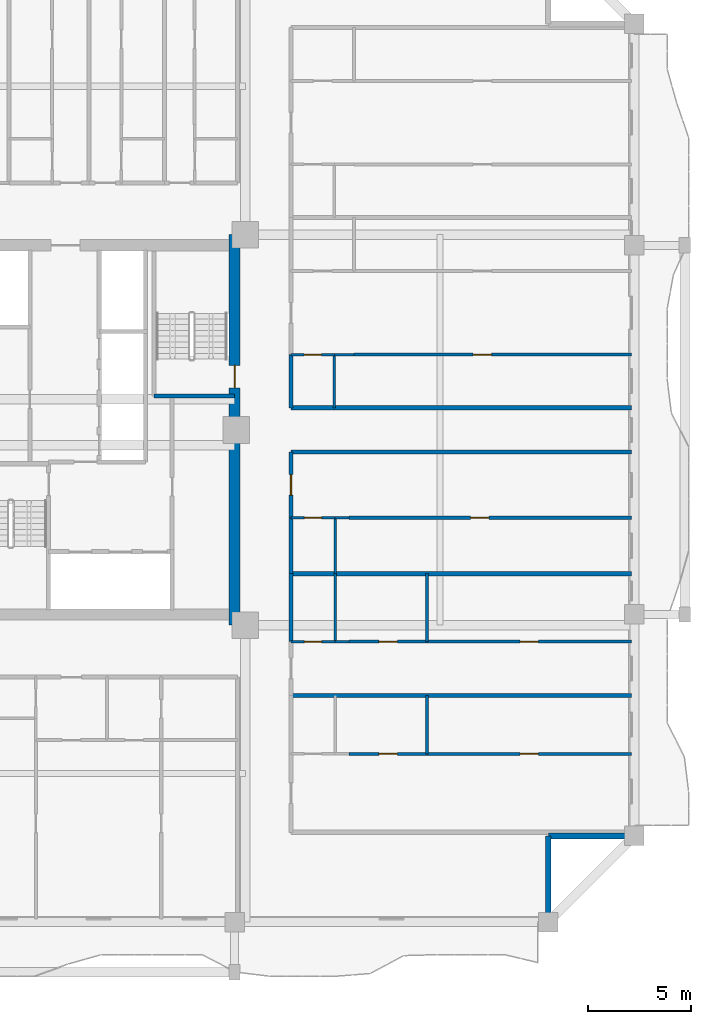
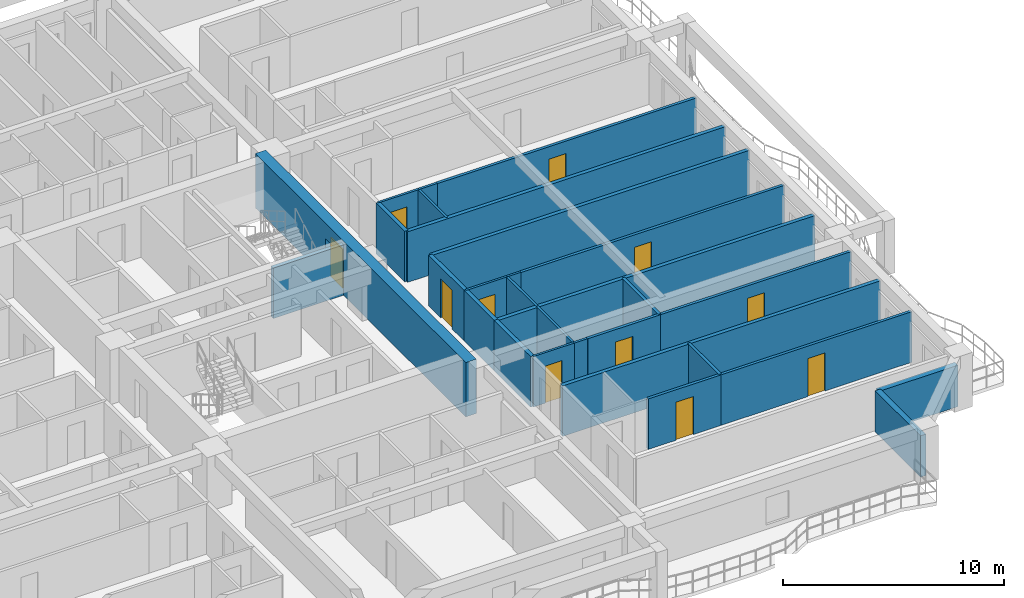
# One storey, part 5 of 14: 29 walls, 11 doors, 11 openings.
"""IFC4 building model written with IfcOpenShell, lengths in metres."""

from ifc_helpers import new_model, si_unit, direction, frame, frame_2d, origin, place, context, subcontext, project, spatial, rectangle, extrude, source, transform, mapped, material, layer, layer_set, type_object, element, fill, save


model = new_model("IFC4")

# Units and contexts
model_context = context("Model", 3, precision=1e-05, world=origin(), true_north=direction((0.0, 1.0)))
body_context = subcontext(model_context, "Body", "Model", "MODEL_VIEW")
ifc_project = project(units=[si_unit("LENGTHUNIT", "METRE"), si_unit("AREAUNIT", "SQUARE_METRE"), si_unit("VOLUMEUNIT", "CUBIC_METRE"), si_unit("PLANEANGLEUNIT", "RADIAN"), si_unit("MASSUNIT", "GRAM", prefix="KILO")], contexts=[model_context])

# Site, building, storey
site_placement = place(None, origin())
site = spatial("IfcSite", under=ifc_project, at=site_placement, CompositionType="ELEMENT")
building_placement = place(site_placement, origin())
building = spatial("IfcBuilding", under=site, at=building_placement, Name="Saelheon Loggia Tower", CompositionType="ELEMENT")
storey_placement = place(building_placement, frame((0.0, 0.0, 119.85009765625)))
storey = spatial("IfcBuildingStorey", under=building, at=storey_placement, Name="L38", CompositionType="ELEMENT", Elevation=119.85009765625)

# Wall, opening, door
ifc_material_1 = material(Name="Concrete C50/60", Category="concrete")
ifc_layer_1 = layer(ifc_material_1, 0.550048828125)
ifc_layer_set_1 = layer_set([ifc_layer_1], Name="Concrete C50/60")
wall_type_1 = type_object("IfcWallType", Name="Wall_CoreShear_550", PredefinedType="SHEAR", material=ifc_layer_set_1)
wall_1_placement = place(storey_placement, frame((44.5, 17.47998046875, 0.0), z_axis=(0.0, 0.0, 1.0), x_axis=(0.0, 1.0, 0.0)))
wall_1 = element("IfcWall", 1, at=wall_1_placement, inside=storey, type_object=wall_type_1, Name="L38 Core Shear Wall East", PredefinedType="SHEAR", context=body_context, shape_type="SweptSolid", body=[
    extrude(rectangle(XDim=19.0400390625, YDim=0.550048828125, at=frame_2d((9.52001953125, 0.0))), origin(), (0.0, 0.0, 1.0), 3.0),
])
opening_1_placement = place(wall_1_placement, frame((12.670166015625, 0.0, 0.0), z_axis=(0.0, 0.0, 1.0), x_axis=(-1.0, 0.0, 0.0)))
opening_1 = element("IfcOpeningElement", 2, at=opening_1_placement, cuts=wall_1, Name="Opening D-FD2", PredefinedType="OPENING", context=body_context, shape_type="SweptSolid", body=[
    extrude(rectangle(XDim=1.10009765625, YDim=2.14990234375, at=frame_2d((0.550048828125, 1.074951171875))), frame((0.0, 0.287109375, 0.0), z_axis=(0.0, -1.0, 0.0), x_axis=(1.0, 0.0, 0.0)), (0.0, 0.0, 1.0), 0.573974609375),
])
ifc_material_2 = material(Name="Galvanised Steel Fire Door", Category="steel")
door_type_1 = type_object("IfcDoorType", Name="Door_Fire_FD60_1100", OperationType="NOTDEFINED", PredefinedType="DOOR", material=ifc_material_2)
shared_shape_1 = source(origin(), body_context, "Body", "SweptSolid", [
    extrude(rectangle(XDim=1.10009765625, YDim=2.14990234375, at=frame_2d((0.550048828125, 1.074951171875))), frame((0.0, 0.02490234375, 0.0), z_axis=(0.0, -1.0, 0.0), x_axis=(1.0, 0.0, 0.0)), (0.0, 0.0, 1.0), 0.050048828125),
])
door_1_placement = place(opening_1_placement, origin())
door_1 = element("IfcDoor", 3, at=door_1_placement, inside=storey, type_object=door_type_1, Name="L38 Stair ST2 Corridor Door", OperationType="SINGLE_SWING_RIGHT", OverallHeight=2.14990234375, OverallWidth=1.10009765625, PredefinedType="DOOR", context=body_context, shape_type="MappedRepresentation", body=[
    mapped(shared_shape_1, transform((0.0, 0.0, 0.0), scale=1.0)),
])
fill(opening_1, door_1)

# Walls
ifc_material_3 = material(Name="Architectural Precast Concrete C40/50", Category="concrete")
ifc_layer_2 = layer(ifc_material_3, 0.280029296875)
ifc_layer_set_2 = layer_set([ifc_layer_2], Name="Architectural Precast Concrete C40/50")
wall_type_2 = type_object("IfcWallType", Name="Wall_Ext_Loggia_280", PredefinedType="SOLIDWALL", material=ifc_layer_set_2)
for number, where, z_axis, x_axis, name in (
    (4, (59.800048828125, 3.080078125, 0.0), (0.0, 0.0, 1.0), (0.0, 1.0, 0.0), "L38 Corner Notch Precast Wall SE1"),
    (5, (59.800048828125, 7.199951171875, 0.0), (0.0, 0.0, 1.0), (1.0, 0.0, 0.0), "L38 Corner Notch Precast Wall SE2"),
):
    element("IfcWall", number, at=place(storey_placement, frame(where, z_axis=z_axis, x_axis=x_axis)), inside=storey, type_object=wall_type_2, Name=name, PredefinedType="SOLIDWALL", context=body_context, shape_type="SweptSolid", body=[
        extrude(rectangle(XDim=4.119873046875, YDim=0.280029296875, at=frame_2d((2.06005859375, 0.0))), origin(), (0.0, 0.0, 1.0), 2.27978515625),
    ])
ifc_material_4 = material(Name="Lightweight Autoclaved Aerated Concrete Block and Acoustic Gypsum", Category="concrete")
ifc_layer_3 = layer(ifc_material_4, 0.14990234375)
ifc_layer_set_3 = layer_set([ifc_layer_3], Name="Lightweight Autoclaved Aerated Concrete Block and Acoustic Gypsum")
wall_type_3 = type_object("IfcWallType", Name="Wall_Part_150", PredefinedType="PARTITIONING", material=ifc_layer_set_3)
wall_2_placement = place(storey_placement, frame((53.889892578125, 11.204345703125, 0.0), z_axis=(0.0, 0.0, 1.0), x_axis=(0.0, 1.0, 0.0)))
element("IfcWall", 6, at=wall_2_placement, inside=storey, type_object=wall_type_3, Name="L38 ES Partition V08", PredefinedType="PARTITIONING", context=body_context, shape_type="SweptSolid", body=[
    extrude(rectangle(XDim=2.85009765625, YDim=0.14990234375, at=frame_2d((1.425048828125, 0.0))), origin(), (0.0, 0.0, 1.0), 2.789794921875),
])

# Wall, opening, door
wall_3_placement = place(storey_placement, frame((50.090087890625, 11.204345703125, 0.0), z_axis=(0.0, 0.0, 1.0), x_axis=(1.0, 0.0, 0.0)))
wall_3 = element("IfcWall", 7, at=wall_3_placement, inside=storey, type_object=wall_type_3, Name="L38 ES Partition U09", PredefinedType="PARTITIONING", context=body_context, shape_type="SweptSolid", body=[
    extrude(rectangle(XDim=3.7998046875, YDim=0.14990234375, at=frame_2d((1.89990234375, 0.0))), origin(), (0.0, 0.0, 1.0), 2.789794921875),
])
opening_2_placement = place(wall_3_placement, frame((1.449951171875, 0.0, 0.0)))
opening_2 = element("IfcOpeningElement", 8, at=opening_2_placement, cuts=wall_3, Name="Opening D-IN2", PredefinedType="OPENING", context=body_context, shape_type="SweptSolid", body=[
    extrude(rectangle(XDim=0.89990234375, YDim=2.10009765625, at=frame_2d((0.449951171875, 1.050048828125))), frame((0.0, 0.0869140625, 0.0), z_axis=(0.0, -1.0, 0.0), x_axis=(1.0, 0.0, 0.0)), (0.0, 0.0, 1.0), 0.173828125),
])
ifc_material_5 = material(Name="Engineered Oak Flush Door", Category="timber")
door_type_2 = type_object("IfcDoorType", Name="Door_Int_900", OperationType="NOTDEFINED", PredefinedType="DOOR", material=ifc_material_5)
shared_shape_2 = source(origin(), body_context, "Body", "SweptSolid", [
    extrude(rectangle(XDim=0.89990234375, YDim=2.10009765625, at=frame_2d((0.449951171875, 1.050048828125))), frame((0.0, 0.02490234375, 0.0), z_axis=(0.0, -1.0, 0.0), x_axis=(1.0, 0.0, 0.0)), (0.0, 0.0, 1.0), 0.050048828125),
])
door_2_placement = place(opening_2_placement, origin())
door_2 = element("IfcDoor", 9, at=door_2_placement, inside=storey, type_object=door_type_2, Name="Unit U10 Kitchen Door", OperationType="SINGLE_SWING_LEFT", OverallHeight=2.10009765625, OverallWidth=0.89990234375, PredefinedType="DOOR", context=body_context, shape_type="MappedRepresentation", body=[
    mapped(shared_shape_2, transform((0.0, 0.0, 0.0), scale=1.0)),
])
fill(opening_2, door_2)

wall_4_placement = place(storey_placement, frame((53.889892578125, 11.204345703125, 0.0), z_axis=(0.0, 0.0, 1.0), x_axis=(1.0, 0.0, 0.0)))
wall_4 = element("IfcWall", 10, at=wall_4_placement, inside=storey, type_object=wall_type_3, Name="L38 ES Partition U10", PredefinedType="PARTITIONING", context=body_context, shape_type="SweptSolid", body=[
    extrude(rectangle(XDim=9.960205078125, YDim=0.14990234375, at=frame_2d((4.97998046875, 0.0))), origin(), (0.0, 0.0, 1.0), 2.789794921875),
])
opening_3_placement = place(wall_4_placement, frame((4.530029296875, 0.0, 0.0)))
opening_3 = element("IfcOpeningElement", 11, at=opening_3_placement, cuts=wall_4, Name="Opening D-IN2", PredefinedType="OPENING", context=body_context, shape_type="SweptSolid", body=[
    extrude(rectangle(XDim=0.89990234375, YDim=2.10009765625, at=frame_2d((0.449951171875, 1.050048828125))), frame((0.0, 0.0869140625, 0.0), z_axis=(0.0, -1.0, 0.0), x_axis=(1.0, 0.0, 0.0)), (0.0, 0.0, 1.0), 0.173828125),
])
door_3_placement = place(opening_3_placement, origin())
door_3 = element("IfcDoor", 12, at=door_3_placement, inside=storey, type_object=door_type_2, Name="Unit U10 Bedroom 1 Door", OperationType="SINGLE_SWING_RIGHT", OverallHeight=2.10009765625, OverallWidth=0.89990234375, PredefinedType="DOOR", context=body_context, shape_type="MappedRepresentation", body=[
    mapped(shared_shape_2, transform((0.0, 0.0, 0.0), scale=1.0)),
])
fill(opening_3, door_3)

# Wall
wall_5_placement = place(storey_placement, frame((53.889892578125, 16.679931640625, 0.0), z_axis=(0.0, 0.0, 1.0), x_axis=(0.0, 1.0, 0.0)))
element("IfcWall", 13, at=wall_5_placement, inside=storey, type_object=wall_type_3, Name="L38 ES Partition V17", PredefinedType="PARTITIONING", context=body_context, shape_type="SweptSolid", body=[
    extrude(rectangle(XDim=3.307373046875, YDim=0.14990234375, at=frame_2d((1.65380859375, 0.0))), origin(), (0.0, 0.0, 1.0), 2.789794921875),
])

# Wall, opening, door
wall_6_placement = place(storey_placement, frame((50.090087890625, 16.679931640625, 0.0), z_axis=(0.0, 0.0, 1.0), x_axis=(1.0, 0.0, 0.0)))
wall_6 = element("IfcWall", 14, at=wall_6_placement, inside=storey, type_object=wall_type_3, Name="L38 ES Partition U18", PredefinedType="PARTITIONING", context=body_context, shape_type="SweptSolid", body=[
    extrude(rectangle(XDim=3.7998046875, YDim=0.14990234375, at=frame_2d((1.89990234375, 0.0))), origin(), (0.0, 0.0, 1.0), 2.789794921875),
])
opening_4_placement = place(wall_6_placement, frame((1.449951171875, 0.0, 0.0)))
opening_4 = element("IfcOpeningElement", 15, at=opening_4_placement, cuts=wall_6, Name="Opening D-IN2", PredefinedType="OPENING", context=body_context, shape_type="SweptSolid", body=[
    extrude(rectangle(XDim=0.89990234375, YDim=2.10009765625, at=frame_2d((0.449951171875, 1.050048828125))), frame((0.0, 0.0869140625, 0.0), z_axis=(0.0, -1.0, 0.0), x_axis=(1.0, 0.0, 0.0)), (0.0, 0.0, 1.0), 0.173828125),
])
door_4_placement = place(opening_4_placement, origin())
door_4 = element("IfcDoor", 16, at=door_4_placement, inside=storey, type_object=door_type_2, Name="Unit U11 Kitchen Door", OperationType="SINGLE_SWING_LEFT", OverallHeight=2.10009765625, OverallWidth=0.89990234375, PredefinedType="DOOR", context=body_context, shape_type="MappedRepresentation", body=[
    mapped(shared_shape_2, transform((0.0, 0.0, 0.0), scale=1.0)),
])
fill(opening_4, door_4)

wall_7_placement = place(storey_placement, frame((53.889892578125, 16.679931640625, 0.0), z_axis=(0.0, 0.0, 1.0), x_axis=(1.0, 0.0, 0.0)))
wall_7 = element("IfcWall", 17, at=wall_7_placement, inside=storey, type_object=wall_type_3, Name="L38 ES Partition U19", PredefinedType="PARTITIONING", context=body_context, shape_type="SweptSolid", body=[
    extrude(rectangle(XDim=9.960205078125, YDim=0.14990234375, at=frame_2d((4.97998046875, 0.0))), origin(), (0.0, 0.0, 1.0), 2.789794921875),
])
opening_5_placement = place(wall_7_placement, frame((4.530029296875, 0.0, 0.0)))
opening_5 = element("IfcOpeningElement", 18, at=opening_5_placement, cuts=wall_7, Name="Opening D-IN2", PredefinedType="OPENING", context=body_context, shape_type="SweptSolid", body=[
    extrude(rectangle(XDim=0.89990234375, YDim=2.10009765625, at=frame_2d((0.449951171875, 1.050048828125))), frame((0.0, 0.0869140625, 0.0), z_axis=(0.0, -1.0, 0.0), x_axis=(1.0, 0.0, 0.0)), (0.0, 0.0, 1.0), 0.173828125),
])
door_5_placement = place(opening_5_placement, origin())
door_5 = element("IfcDoor", 19, at=door_5_placement, inside=storey, type_object=door_type_2, Name="Unit U11 Bedroom 1 Door", OperationType="SINGLE_SWING_RIGHT", OverallHeight=2.10009765625, OverallWidth=0.89990234375, PredefinedType="DOOR", context=body_context, shape_type="MappedRepresentation", body=[
    mapped(shared_shape_2, transform((0.0, 0.0, 0.0), scale=1.0)),
])
fill(opening_5, door_5)

wall_8_placement = place(storey_placement, frame((50.090087890625, 22.71630859375, 0.0), z_axis=(0.0, 0.0, 1.0), x_axis=(1.0, 0.0, 0.0)))
wall_8 = element("IfcWall", 20, at=wall_8_placement, inside=storey, type_object=wall_type_3, Name="L38 ES Partition U26", PredefinedType="PARTITIONING", context=body_context, shape_type="SweptSolid", body=[
    extrude(rectangle(XDim=13.760009765625, YDim=0.14990234375, at=frame_2d((6.8798828125, 0.0))), origin(), (0.0, 0.0, 1.0), 2.789794921875),
])
opening_6_placement = place(wall_8_placement, frame((5.914306640625, 0.0, 0.0)))
opening_6 = element("IfcOpeningElement", 21, at=opening_6_placement, cuts=wall_8, Name="Opening D-IN2", PredefinedType="OPENING", context=body_context, shape_type="SweptSolid", body=[
    extrude(rectangle(XDim=0.89990234375, YDim=2.10009765625, at=frame_2d((0.449951171875, 1.050048828125))), frame((0.0, 0.0869140625, 0.0), z_axis=(0.0, -1.0, 0.0), x_axis=(1.0, 0.0, 0.0)), (0.0, 0.0, 1.0), 0.173828125),
])
door_6_placement = place(opening_6_placement, origin())
door_6 = element("IfcDoor", 22, at=door_6_placement, inside=storey, type_object=door_type_2, Name="Unit U12 Kitchen Door", OperationType="SINGLE_SWING_LEFT", OverallHeight=2.10009765625, OverallWidth=0.89990234375, PredefinedType="DOOR", context=body_context, shape_type="MappedRepresentation", body=[
    mapped(shared_shape_2, transform((0.0, 0.0, 0.0), scale=1.0)),
])
fill(opening_6, door_6)

wall_9_placement = place(storey_placement, frame((50.330078125, 30.675537109375, 0.0), z_axis=(0.0, 0.0, 1.0), x_axis=(1.0, 0.0, 0.0)))
wall_9 = element("IfcWall", 23, at=wall_9_placement, inside=storey, type_object=wall_type_3, Name="L38 EN Partition U10", PredefinedType="PARTITIONING", context=body_context, shape_type="SweptSolid", body=[
    extrude(rectangle(XDim=13.52001953125, YDim=0.14990234375, at=frame_2d((6.760009765625, 0.0))), origin(), (0.0, 0.0, 1.0), 2.789794921875),
])
opening_7_placement = place(wall_9_placement, frame((5.80419921875, 0.0, 0.0)))
opening_7 = element("IfcOpeningElement", 24, at=opening_7_placement, cuts=wall_9, Name="Opening D-IN2", PredefinedType="OPENING", context=body_context, shape_type="SweptSolid", body=[
    extrude(rectangle(XDim=0.89990234375, YDim=2.10009765625, at=frame_2d((0.449951171875, 1.050048828125))), frame((0.0, 0.0869140625, 0.0), z_axis=(0.0, -1.0, 0.0), x_axis=(1.0, 0.0, 0.0)), (0.0, 0.0, 1.0), 0.173828125),
])
door_7_placement = place(opening_7_placement, origin())
door_7 = element("IfcDoor", 25, at=door_7_placement, inside=storey, type_object=door_type_2, Name="Unit U13 Kitchen Door", OperationType="SINGLE_SWING_RIGHT", OverallHeight=2.10009765625, OverallWidth=0.89990234375, PredefinedType="DOOR", context=body_context, shape_type="MappedRepresentation", body=[
    mapped(shared_shape_2, transform((0.0, 0.0, 0.0), scale=1.0)),
])
fill(opening_7, door_7)

# Walls
ifc_material_6 = material(Name="Double Acoustic Stud and Fireboard Partition", Category="gypsum")
ifc_layer_4 = layer(ifc_material_6, 0.199951171875)
ifc_layer_set_4 = layer_set([ifc_layer_4], Name="Double Acoustic Stud and Fireboard Partition")
wall_type_4 = type_object("IfcWallType", Name="Wall_Party_200", PredefinedType="PARTITIONING", material=ifc_layer_set_4)
for number, where, z_axis, x_axis, name in (
    (26, (47.25, 25.919921875, 0.0), (0.0, 0.0, 1.0), (1.0, 0.0, 0.0), "L38 ES Partition U02"),
    (27, (47.25, 14.054443359375, 0.0), (0.0, 0.0, 1.0), (1.0, 0.0, 0.0), "L38 ES Partition U11"),
):
    element("IfcWall", number, at=place(storey_placement, frame(where, z_axis=z_axis, x_axis=x_axis)), inside=storey, type_object=wall_type_4, Name=name, PredefinedType="PARTITIONING", context=body_context, shape_type="SweptSolid", body=[
        extrude(rectangle(XDim=16.60009765625, YDim=0.199951171875, at=frame_2d((8.300048828125, 0.0))), origin(), (0.0, 0.0, 1.0), 2.789794921875),
    ])
wall_10_placement = place(storey_placement, frame((47.25, 16.679931640625, 0.0), z_axis=(0.0, 0.0, 1.0), x_axis=(0.0, 1.0, 0.0)))
element("IfcWall", 28, at=wall_10_placement, inside=storey, type_object=wall_type_4, Name="L38 ES Partition V13", PredefinedType="PARTITIONING", context=body_context, shape_type="SweptSolid", body=[
    extrude(rectangle(XDim=3.307373046875, YDim=0.199951171875, at=frame_2d((1.65380859375, 0.0))), origin(), (0.0, 0.0, 1.0), 2.789794921875),
])
wall_11_placement = place(storey_placement, frame((47.25, 19.9873046875, 0.0), z_axis=(0.0, 0.0, 1.0), x_axis=(1.0, 0.0, 0.0)))
element("IfcWall", 29, at=wall_11_placement, inside=storey, type_object=wall_type_4, Name="L38 ES Partition U20", PredefinedType="PARTITIONING", context=body_context, shape_type="SweptSolid", body=[
    extrude(rectangle(XDim=16.60009765625, YDim=0.199951171875, at=frame_2d((8.300048828125, 0.0))), origin(), (0.0, 0.0, 1.0), 2.789794921875),
])
wall_12_placement = place(storey_placement, frame((47.25, 19.9873046875, 0.0), z_axis=(0.0, 0.0, 1.0), x_axis=(0.0, 1.0, 0.0)))
element("IfcWall", 30, at=wall_12_placement, inside=storey, type_object=wall_type_4, Name="L38 ES Partition V21", PredefinedType="PARTITIONING", context=body_context, shape_type="SweptSolid", body=[
    extrude(rectangle(XDim=2.72900390625, YDim=0.199951171875, at=frame_2d((1.364501953125, 0.0))), origin(), (0.0, 0.0, 1.0), 2.789794921875),
])

# Wall, opening, door
wall_13_placement = place(storey_placement, frame((47.25, 22.71630859375, 0.0), z_axis=(0.0, 0.0, 1.0), x_axis=(0.0, 1.0, 0.0)))
wall_13 = element("IfcWall", 31, at=wall_13_placement, inside=storey, type_object=wall_type_4, Name="L38 ES Partition V22", PredefinedType="PARTITIONING", context=body_context, shape_type="SweptSolid", body=[
    extrude(rectangle(XDim=3.20361328125, YDim=0.199951171875, at=frame_2d((1.601806640625, 0.0))), origin(), (0.0, 0.0, 1.0), 2.789794921875),
])
opening_8_placement = place(wall_13_placement, frame((1.101806640625, 0.0, 0.0)))
opening_8 = element("IfcOpeningElement", 32, at=opening_8_placement, cuts=wall_13, Name="Opening D-FD1", PredefinedType="OPENING", context=body_context, shape_type="SweptSolid", body=[
    extrude(rectangle(XDim=1.0, YDim=2.14990234375, at=frame_2d((0.5, 1.074951171875))), frame((0.0, 0.112060546875, 0.0), z_axis=(0.0, -1.0, 0.0), x_axis=(1.0, 0.0, 0.0)), (0.0, 0.0, 1.0), 0.223876953125),
])
ifc_material_7 = material(Name="Fire-Rated Engineered Timber Entrance Door", Category="wood")
door_type_3 = type_object("IfcDoorType", Name="Door_Flat_FD30S", OperationType="NOTDEFINED", PredefinedType="DOOR", material=ifc_material_7)
shared_shape_3 = source(origin(), body_context, "Body", "SweptSolid", [
    extrude(rectangle(XDim=1.0, YDim=2.14990234375, at=frame_2d((0.5, 1.074951171875))), frame((0.0, 0.02490234375, 0.0), z_axis=(0.0, -1.0, 0.0), x_axis=(1.0, 0.0, 0.0)), (0.0, 0.0, 1.0), 0.050048828125),
])
door_8_placement = place(opening_8_placement, origin())
door_8 = element("IfcDoor", 33, at=door_8_placement, inside=storey, type_object=door_type_3, Name="Unit U12 Entrance Door", OperationType="SINGLE_SWING_LEFT", OverallHeight=2.14990234375, OverallWidth=1.0, PredefinedType="DOOR", context=body_context, shape_type="MappedRepresentation", body=[
    mapped(shared_shape_3, transform((0.0, 0.0, 0.0), scale=1.0)),
])
fill(opening_8, door_8)

# Walls
wall_14_placement = place(storey_placement, frame((47.25, 28.080078125, 0.0), z_axis=(0.0, 0.0, 1.0), x_axis=(1.0, 0.0, 0.0)))
element("IfcWall", 34, at=wall_14_placement, inside=storey, type_object=wall_type_4, Name="L38 EN Partition U01", PredefinedType="PARTITIONING", context=body_context, shape_type="SweptSolid", body=[
    extrude(rectangle(XDim=16.60009765625, YDim=0.199951171875, at=frame_2d((8.300048828125, 0.0))), origin(), (0.0, 0.0, 1.0), 2.789794921875),
])
wall_15_placement = place(storey_placement, frame((47.25, 28.080078125, 0.0), z_axis=(0.0, 0.0, 1.0), x_axis=(0.0, 1.0, 0.0)))
element("IfcWall", 35, at=wall_15_placement, inside=storey, type_object=wall_type_4, Name="L38 EN Partition V03", PredefinedType="PARTITIONING", context=body_context, shape_type="SweptSolid", body=[
    extrude(rectangle(XDim=2.595458984375, YDim=0.199951171875, at=frame_2d((1.2978515625, 0.0))), origin(), (0.0, 0.0, 1.0), 2.789794921875),
])
ifc_material_8 = material(Name="Concrete C45/55", Category="concrete")
ifc_layer_5 = layer(ifc_material_8, 0.199951171875)
ifc_layer_set_5 = layer_set([ifc_layer_5], Name="Concrete C45/55")
wall_type_5 = type_object("IfcWallType", Name="Wall_StairShaft_RC200", PredefinedType="SOLIDWALL", material=ifc_layer_set_5)
wall_16_placement = place(storey_placement, frame((40.570068359375, 28.64990234375, 0.0), z_axis=(0.0, 0.0, 1.0), x_axis=(1.0, 0.0, 0.0)))
element("IfcWall", 36, at=wall_16_placement, inside=storey, type_object=wall_type_5, Name="L38 Stair ST2 South Wall", PredefinedType="SOLIDWALL", context=body_context, shape_type="SweptSolid", body=[
    extrude(rectangle(XDim=3.929931640625, YDim=0.199951171875, at=frame_2d((1.96484375, 0.0))), origin(), (0.0, 0.0, 1.0), 2.789794921875),
])

# Wall, opening, door
ifc_material_9 = material(Name="Moisture-Resistant Cement Board Partition", Category="gypsum")
ifc_layer_6 = layer(ifc_material_9, 0.1201171875)
ifc_layer_set_6 = layer_set([ifc_layer_6], Name="Moisture-Resistant Cement Board Partition")
wall_type_6 = type_object("IfcWallType", Name="Wall_WetPart_120", PredefinedType="PARTITIONING", material=ifc_layer_set_6)
wall_17_placement = place(storey_placement, frame((47.25, 16.679931640625, 0.0), z_axis=(0.0, 0.0, 1.0), x_axis=(1.0, 0.0, 0.0)))
wall_17 = element("IfcWall", 37, at=wall_17_placement, inside=storey, type_object=wall_type_6, Name="L38 ES Partition U14", PredefinedType="PARTITIONING", context=body_context, shape_type="SweptSolid", body=[
    extrude(rectangle(XDim=2.14990234375, YDim=0.1201171875, at=frame_2d((1.074951171875, 0.0))), origin(), (0.0, 0.0, 1.0), 2.789794921875),
])
opening_9_placement = place(wall_17_placement, frame((0.64990234375, 0.0, 0.0)))
opening_9 = element("IfcOpeningElement", 38, at=opening_9_placement, cuts=wall_17, Name="Opening D-BT1", PredefinedType="OPENING", context=body_context, shape_type="SweptSolid", body=[
    extrude(rectangle(XDim=0.85009765625, YDim=2.050048828125, at=frame_2d((0.425048828125, 1.02490234375))), frame((0.0, 0.072021484375, 0.0), z_axis=(0.0, -1.0, 0.0), x_axis=(1.0, 0.0, 0.0)), (0.0, 0.0, 1.0), 0.14404296875),
])
ifc_material_10 = material(Name="Moisture-Resistant Laminate Timber Door", Category="wood")
door_type_4 = type_object("IfcDoorType", Name="Door_Bath_850", OperationType="NOTDEFINED", PredefinedType="DOOR", material=ifc_material_10)
shared_shape_4 = source(origin(), body_context, "Body", "SweptSolid", [
    extrude(rectangle(XDim=0.85009765625, YDim=2.050048828125, at=frame_2d((0.425048828125, 1.02490234375))), frame((0.0, 0.02490234375, 0.0), z_axis=(0.0, -1.0, 0.0), x_axis=(1.0, 0.0, 0.0)), (0.0, 0.0, 1.0), 0.050048828125),
])
door_9_placement = place(opening_9_placement, origin())
door_9 = element("IfcDoor", 39, at=door_9_placement, inside=storey, type_object=door_type_4, Name="Unit U11 Bathroom Door", OperationType="SINGLE_SWING_RIGHT", OverallHeight=2.050048828125, OverallWidth=0.85009765625, PredefinedType="DOOR", context=body_context, shape_type="MappedRepresentation", body=[
    mapped(shared_shape_4, transform((0.0, 0.0, 0.0), scale=1.0)),
])
fill(opening_9, door_9)

# Walls
wall_18_placement = place(storey_placement, frame((49.39990234375, 16.679931640625, 0.0), z_axis=(0.0, 0.0, 1.0), x_axis=(1.0, 0.0, 0.0)))
element("IfcWall", 40, at=wall_18_placement, inside=storey, type_object=wall_type_6, Name="L38 ES Partition U15", PredefinedType="PARTITIONING", context=body_context, shape_type="SweptSolid", body=[
    extrude(rectangle(XDim=0.690185546875, YDim=0.1201171875, at=frame_2d((0.34521484375, 0.0))), origin(), (0.0, 0.0, 1.0), 2.789794921875),
])
wall_19_placement = place(storey_placement, frame((49.39990234375, 16.679931640625, 0.0), z_axis=(0.0, 0.0, 1.0), x_axis=(0.0, 1.0, 0.0)))
element("IfcWall", 41, at=wall_19_placement, inside=storey, type_object=wall_type_6, Name="L38 ES Partition V16", PredefinedType="PARTITIONING", context=body_context, shape_type="SweptSolid", body=[
    extrude(rectangle(XDim=3.307373046875, YDim=0.1201171875, at=frame_2d((1.65380859375, 0.0))), origin(), (0.0, 0.0, 1.0), 2.789794921875),
])

# Wall, opening, door
wall_20_placement = place(storey_placement, frame((47.25, 22.71630859375, 0.0), z_axis=(0.0, 0.0, 1.0), x_axis=(1.0, 0.0, 0.0)))
wall_20 = element("IfcWall", 42, at=wall_20_placement, inside=storey, type_object=wall_type_6, Name="L38 ES Partition U23", PredefinedType="PARTITIONING", context=body_context, shape_type="SweptSolid", body=[
    extrude(rectangle(XDim=2.14990234375, YDim=0.1201171875, at=frame_2d((1.074951171875, 0.0))), origin(), (0.0, 0.0, 1.0), 2.789794921875),
])
opening_10_placement = place(wall_20_placement, frame((0.64990234375, 0.0, 0.0)))
opening_10 = element("IfcOpeningElement", 43, at=opening_10_placement, cuts=wall_20, Name="Opening D-BT1", PredefinedType="OPENING", context=body_context, shape_type="SweptSolid", body=[
    extrude(rectangle(XDim=0.85009765625, YDim=2.050048828125, at=frame_2d((0.425048828125, 1.02490234375))), frame((0.0, 0.072021484375, 0.0), z_axis=(0.0, -1.0, 0.0), x_axis=(1.0, 0.0, 0.0)), (0.0, 0.0, 1.0), 0.14404296875),
])
door_10_placement = place(opening_10_placement, origin())
door_10 = element("IfcDoor", 44, at=door_10_placement, inside=storey, type_object=door_type_4, Name="Unit U12 Bathroom Door", OperationType="SINGLE_SWING_RIGHT", OverallHeight=2.050048828125, OverallWidth=0.85009765625, PredefinedType="DOOR", context=body_context, shape_type="MappedRepresentation", body=[
    mapped(shared_shape_4, transform((0.0, 0.0, 0.0), scale=1.0)),
])
fill(opening_10, door_10)

# Walls
wall_21_placement = place(storey_placement, frame((49.39990234375, 22.71630859375, 0.0), z_axis=(0.0, 0.0, 1.0), x_axis=(1.0, 0.0, 0.0)))
element("IfcWall", 45, at=wall_21_placement, inside=storey, type_object=wall_type_6, Name="L38 ES Partition U24", PredefinedType="PARTITIONING", context=body_context, shape_type="SweptSolid", body=[
    extrude(rectangle(XDim=0.690185546875, YDim=0.1201171875, at=frame_2d((0.34521484375, 0.0))), origin(), (0.0, 0.0, 1.0), 2.789794921875),
])
wall_22_placement = place(storey_placement, frame((49.39990234375, 19.9873046875, 0.0), z_axis=(0.0, 0.0, 1.0), x_axis=(0.0, 1.0, 0.0)))
element("IfcWall", 46, at=wall_22_placement, inside=storey, type_object=wall_type_6, Name="L38 ES Partition V25", PredefinedType="PARTITIONING", context=body_context, shape_type="SweptSolid", body=[
    extrude(rectangle(XDim=2.72900390625, YDim=0.1201171875, at=frame_2d((1.364501953125, 0.0))), origin(), (0.0, 0.0, 1.0), 2.789794921875),
])
wall_23_placement = place(storey_placement, frame((49.3701171875, 28.080078125, 0.0), z_axis=(0.0, 0.0, 1.0), x_axis=(0.0, 1.0, 0.0)))
element("IfcWall", 47, at=wall_23_placement, inside=storey, type_object=wall_type_6, Name="L38 EN Partition V06", PredefinedType="PARTITIONING", context=body_context, shape_type="SweptSolid", body=[
    extrude(rectangle(XDim=2.595458984375, YDim=0.1201171875, at=frame_2d((1.2978515625, 0.0))), origin(), (0.0, 0.0, 1.0), 2.789794921875),
])

# Wall, opening, door
wall_24_placement = place(storey_placement, frame((47.25, 30.675537109375, 0.0), z_axis=(0.0, 0.0, 1.0), x_axis=(1.0, 0.0, 0.0)))
wall_24 = element("IfcWall", 48, at=wall_24_placement, inside=storey, type_object=wall_type_6, Name="L38 EN Partition U08", PredefinedType="PARTITIONING", context=body_context, shape_type="SweptSolid", body=[
    extrude(rectangle(XDim=2.1201171875, YDim=0.1201171875, at=frame_2d((1.06005859375, 0.0))), origin(), (0.0, 0.0, 1.0), 2.789794921875),
])
opening_11_placement = place(wall_24_placement, frame((0.635009765625, 0.0, 0.0)))
opening_11 = element("IfcOpeningElement", 49, at=opening_11_placement, cuts=wall_24, Name="Opening D-BT1", PredefinedType="OPENING", context=body_context, shape_type="SweptSolid", body=[
    extrude(rectangle(XDim=0.85009765625, YDim=2.050048828125, at=frame_2d((0.425048828125, 1.02490234375))), frame((0.0, 0.072021484375, 0.0), z_axis=(0.0, -1.0, 0.0), x_axis=(1.0, 0.0, 0.0)), (0.0, 0.0, 1.0), 0.14404296875),
])
door_11_placement = place(opening_11_placement, origin())
door_11 = element("IfcDoor", 50, at=door_11_placement, inside=storey, type_object=door_type_4, Name="Unit U13 Bathroom Door", OperationType="SINGLE_SWING_LEFT", OverallHeight=2.050048828125, OverallWidth=0.85009765625, PredefinedType="DOOR", context=body_context, shape_type="MappedRepresentation", body=[
    mapped(shared_shape_4, transform((0.0, 0.0, 0.0), scale=1.0)),
])
fill(opening_11, door_11)

# Wall
wall_25_placement = place(storey_placement, frame((49.3701171875, 30.675537109375, 0.0), z_axis=(0.0, 0.0, 1.0), x_axis=(1.0, 0.0, 0.0)))
element("IfcWall", 51, at=wall_25_placement, inside=storey, type_object=wall_type_6, Name="L38 EN Partition U09", PredefinedType="PARTITIONING", context=body_context, shape_type="SweptSolid", body=[
    extrude(rectangle(XDim=0.9599609375, YDim=0.1201171875, at=frame_2d((0.47998046875, 0.0))), origin(), (0.0, 0.0, 1.0), 2.789794921875),
])

save(model, "model.ifc")
